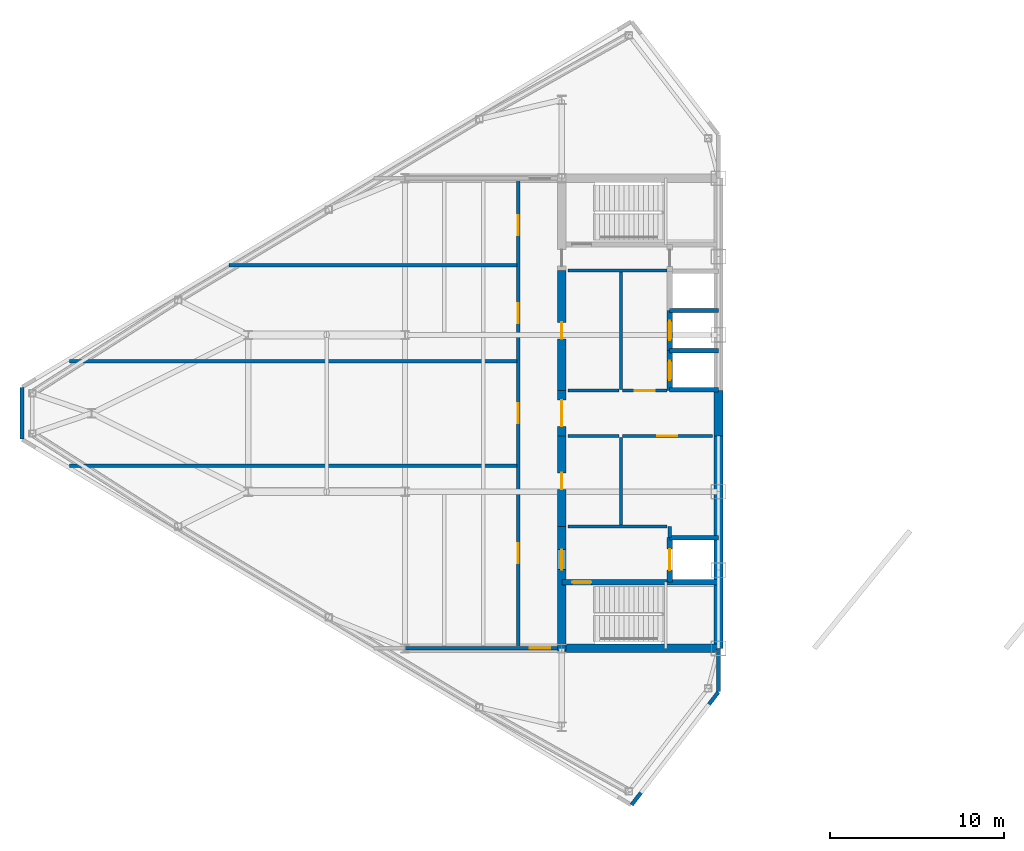
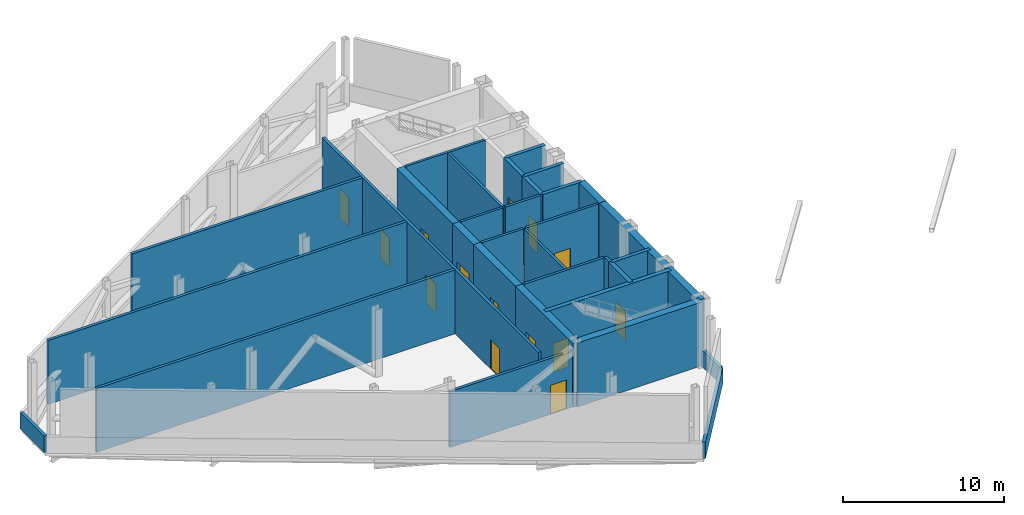
# One storey, part 8 of 13: 32 walls, 15 doors, 15 openings.
"""IFC4 building model written with IfcOpenShell, lengths in metres."""

from ifc_helpers import new_model, si_unit, direction, frame, frame_2d, origin, place, context, subcontext, project, spatial, rectangle, extrude, source, transform, mapped, material, layer, layer_set, type_object, type_shapes, element, fill, save


model = new_model("IFC4")

# Units and contexts
model_context = context("Model", 3, precision=1e-05, world=origin(), true_north=direction((0.0, 1.0)))
body_context = subcontext(model_context, "Body", "Model", "MODEL_VIEW")
ifc_project = project(units=[si_unit("LENGTHUNIT", "METRE"), si_unit("AREAUNIT", "SQUARE_METRE"), si_unit("VOLUMEUNIT", "CUBIC_METRE"), si_unit("PLANEANGLEUNIT", "RADIAN"), si_unit("MASSUNIT", "GRAM", prefix="KILO")], contexts=[model_context])

# Site, building, storey
site_placement = place(None, origin())
site = spatial("IfcSite", under=ifc_project, at=site_placement, CompositionType="ELEMENT")
building_placement = place(site_placement, origin())
building = spatial("IfcBuilding", under=site, at=building_placement, Name="Seokmaru Belvedere", CompositionType="ELEMENT")
storey_placement = place(building_placement, frame((0.0, 0.0, 224.699951171875)))
storey = spatial("IfcBuildingStorey", under=building, at=storey_placement, Name="L60", CompositionType="ELEMENT", Elevation=224.699951171875)

# Walls
ifc_material_1 = material(Name="Fire-Rated Gypsum Shaftwall")
ifc_layer_1 = layer(ifc_material_1, 0.179931640625)
ifc_layer_set_1 = layer_set([ifc_layer_1], Name="Fire-Rated Gypsum Shaftwall")
wall_type_1 = type_object("IfcWallType", Name="Core Service Fire Partition 180", PredefinedType="PARTITIONING", material=ifc_layer_set_1)
wall_1_placement = place(storey_placement, frame((-36.14990234375, -6.5, 0.0), z_axis=(0.0, 0.0, 1.0), x_axis=(1.0, 0.0, 0.0)))
element("IfcWall", 1, at=wall_1_placement, inside=storey, type_object=wall_type_1, Name="L60 West Firefighting Lobby Partition", PredefinedType="PARTITIONING", context=body_context, shape_type="SweptSolid", body=[
    extrude(rectangle(XDim=5.699951171875, YDim=0.179931640625, at=frame_2d((2.85009765625, 0.0))), origin(), (0.0, 0.0, 1.0), 4.840087890625),
])
wall_2_placement = place(storey_placement, frame((-30.300048828125, -7.1201171875, 0.0), z_axis=(0.0, 0.0, 1.0), x_axis=(0.0, 1.0, 0.0)))
element("IfcWall", 2, at=wall_2_placement, inside=storey, type_object=wall_type_1, Name="L60 West Firefighting Lobby East Closure Wall", PredefinedType="PARTITIONING", context=body_context, shape_type="SweptSolid", body=[
    extrude(rectangle(XDim=0.6201171875, YDim=0.179931640625, at=frame_2d((0.31005859375, 0.0))), origin(), (0.0, 0.0, 1.0), 4.840087890625),
])
wall_3_placement = place(storey_placement, frame((-36.14990234375, 8.199951171875, 0.0), z_axis=(0.0, 0.0, 1.0), x_axis=(1.0, 0.0, 0.0)))
element("IfcWall", 3, at=wall_3_placement, inside=storey, type_object=wall_type_1, Name="L60 West Smokeproof Vestibule Partition", PredefinedType="PARTITIONING", context=body_context, shape_type="SweptSolid", body=[
    extrude(rectangle(XDim=5.699951171875, YDim=0.179931640625, at=frame_2d((2.85009765625, 0.0))), origin(), (0.0, 0.0, 1.0), 4.840087890625),
])
wall_4_placement = place(storey_placement, frame((-33.10009765625, -6.419921875, 0.0), z_axis=(0.0, 0.0, 1.0), x_axis=(0.0, 1.0, 0.0)))
element("IfcWall", 4, at=wall_4_placement, inside=storey, type_object=wall_type_1, Name="L60 West South Core Service Back Wall", PredefinedType="PARTITIONING", context=body_context, shape_type="SweptSolid", body=[
    extrude(rectangle(XDim=5.0400390625, YDim=0.179931640625, at=frame_2d((2.52001953125, 0.0))), origin(), (0.0, 0.0, 1.0), 4.840087890625),
])
wall_5_placement = place(storey_placement, frame((-33.10009765625, 1.3798828125, 0.0), z_axis=(0.0, 0.0, 1.0), x_axis=(0.0, 1.0, 0.0)))
element("IfcWall", 5, at=wall_5_placement, inside=storey, type_object=wall_type_1, Name="L60 West North Core Service Back Wall", PredefinedType="PARTITIONING", context=body_context, shape_type="SweptSolid", body=[
    extrude(rectangle(XDim=6.740234375, YDim=0.179931640625, at=frame_2d((3.3701171875, 0.0))), origin(), (0.0, 0.0, 1.0), 4.840087890625),
])

# Wall, opening, door
wall_6_placement = place(storey_placement, frame((-33.02001953125, -1.300048828125, 0.0), z_axis=(0.0, 0.0, 1.0), x_axis=(1.0, 0.0, 0.0)))
wall_6 = element("IfcWall", 6, at=wall_6_placement, inside=storey, type_object=wall_type_1, Name="L60 West South Lift Lobby Foyer Wall", PredefinedType="PARTITIONING", context=body_context, shape_type="SweptSolid", body=[
    extrude(rectangle(XDim=5.169921875, YDim=0.179931640625, at=frame_2d((2.5849609375, 0.0))), origin(), (0.0, 0.0, 1.0), 4.840087890625),
])
opening_1_placement = place(wall_6_placement, frame((2.010009765625, 0.0, 0.0)))
opening_1 = element("IfcOpeningElement", 7, at=opening_1_placement, cuts=wall_6, Name="Opening D02", PredefinedType="OPENING", context=body_context, shape_type="SweptSolid", body=[
    extrude(rectangle(XDim=1.14990234375, YDim=2.199951171875, at=frame_2d((0.574951171875, 1.10009765625))), frame((0.0, 0.10009765625, 0.0), z_axis=(0.0, -1.0, 0.0), x_axis=(1.0, 0.0, 0.0)), (0.0, 0.0, 1.0), 0.199951171875),
])
ifc_material_2 = material(Name="Fire-Rated Steel Leaf", Category="steel")
door_type_1 = type_object("IfcDoorType", Name="Lobby and Vestibule Fire Door 1150x2200", OperationType="NOTDEFINED", PredefinedType="DOOR", material=ifc_material_2)
shared_shape_1 = source(origin(), body_context, "Body", "SweptSolid", [
    extrude(rectangle(XDim=1.14990234375, YDim=2.199951171875, at=frame_2d((0.574951171875, 1.10009765625))), frame((0.0, 0.02490234375, 0.0), z_axis=(0.0, -1.0, 0.0), x_axis=(1.0, 0.0, 0.0)), (0.0, 0.0, 1.0), 0.050048828125),
])
type_shapes(door_type_1, [shared_shape_1])
door_1_placement = place(opening_1_placement, origin())
door_1 = element("IfcDoor", 8, at=door_1_placement, inside=storey, type_object=door_type_1, Name="L60 West South Core Foyer Door", OperationType="SINGLE_SWING_LEFT", OverallHeight=2.199951171875, OverallWidth=1.14990234375, PredefinedType="DOOR", context=body_context, shape_type="MappedRepresentation", body=[
    mapped(shared_shape_1, transform((0.0, 0.0, 0.0), scale=1.0)),
])
fill(opening_1, door_1)

wall_7_placement = place(storey_placement, frame((-33.02001953125, 1.300048828125, 0.0), z_axis=(0.0, 0.0, 1.0), x_axis=(1.0, 0.0, 0.0)))
wall_7 = element("IfcWall", 9, at=wall_7_placement, inside=storey, type_object=wall_type_1, Name="L60 West North Lift Lobby Foyer Wall", PredefinedType="PARTITIONING", context=body_context, shape_type="SweptSolid", body=[
    extrude(rectangle(XDim=2.570068359375, YDim=0.179931640625, at=frame_2d((1.28515625, 0.0))), origin(), (0.0, 0.0, 1.0), 4.840087890625),
])
opening_2_placement = place(wall_7_placement, frame((0.7099609375, 0.0, 0.0)))
opening_2 = element("IfcOpeningElement", 10, at=opening_2_placement, cuts=wall_7, Name="Opening D02", PredefinedType="OPENING", context=body_context, shape_type="SweptSolid", body=[
    extrude(rectangle(XDim=1.14990234375, YDim=2.199951171875, at=frame_2d((0.574951171875, 1.10009765625))), frame((0.0, 0.10009765625, 0.0), z_axis=(0.0, -1.0, 0.0), x_axis=(1.0, 0.0, 0.0)), (0.0, 0.0, 1.0), 0.199951171875),
])
door_2_placement = place(opening_2_placement, origin())
door_2 = element("IfcDoor", 11, at=door_2_placement, inside=storey, type_object=door_type_1, Name="L60 West North Lift Lobby Door", OperationType="SINGLE_SWING_RIGHT", OverallHeight=2.199951171875, OverallWidth=1.14990234375, PredefinedType="DOOR", context=body_context, shape_type="MappedRepresentation", body=[
    mapped(shared_shape_1, transform((0.0, 0.0, 0.0), scale=1.0)),
])
fill(opening_2, door_2)

# Walls
for number, where, z_axis, x_axis, name in (
    (12, (-36.14990234375, -1.300048828125, 0.0), (0.0, 0.0, 1.0), (1.0, 0.0, 0.0), "L60 West Foyer Side Wall S"),
    (13, (-36.14990234375, 1.300048828125, 0.0), (0.0, 0.0, 1.0), (1.0, 0.0, 0.0), "L60 West Foyer Side Wall N"),
):
    element("IfcWall", number, at=place(storey_placement, frame(where, z_axis=z_axis, x_axis=x_axis)), inside=storey, type_object=wall_type_1, Name=name, PredefinedType="PARTITIONING", context=body_context, shape_type="SweptSolid", body=[
        extrude(rectangle(XDim=2.949951171875, YDim=0.179931640625, at=frame_2d((1.47509765625, 0.0))), origin(), (0.0, 0.0, 1.0), 4.840087890625),
    ])
ifc_material_3 = material(Name="Concrete C50 (50 MPa)", Category="concrete")
ifc_layer_2 = layer(ifc_material_3, 0.25)
ifc_layer_set_2 = layer_set([ifc_layer_2], Name="Concrete C50 (50 MPa)")
wall_type_2 = type_object("IfcWallType", Name="Hoistway Transverse Concrete Divider Wall 250", PredefinedType="SHEAR", material=ifc_layer_set_2)
for number, where, z_axis, x_axis, name in (
    (14, (-30.300048828125, -7.14990234375, 0.0), (0.0, 0.0, 1.0), (1.0, 0.0, 0.0), "L60 West Hoistway Divider Core Wall 1"),
    (15, (-30.300048828125, 1.35009765625, 0.0), (0.0, 0.0, 1.0), (1.0, 0.0, 0.0), "L60 West Hoistway Divider Core Wall 2"),
    (16, (-30.300048828125, 3.60009765625, 0.0), (0.0, 0.0, 1.0), (1.0, 0.0, 0.0), "L60 West Hoistway Divider Core Wall 3"),
    (17, (-30.300048828125, 5.89990234375, 0.0), (0.0, 0.0, 1.0), (1.0, 0.0, 0.0), "L60 West Hoistway Divider Core Wall 4"),
):
    element("IfcWall", number, at=place(storey_placement, frame(where, z_axis=z_axis, x_axis=x_axis)), inside=storey, type_object=wall_type_2, Name=name, PredefinedType="SHEAR", context=body_context, shape_type="SweptSolid", body=[
        extrude(rectangle(XDim=2.800048828125, YDim=0.25, at=frame_2d((1.39990234375, 0.0))), origin(), (0.0, 0.0, 1.0), 4.840087890625),
    ])

# Wall, opening, door
ifc_layer_3 = layer(ifc_material_1, 0.199951171875)
ifc_layer_set_3 = layer_set([ifc_layer_3], Name="Fire-Rated Gypsum Shaftwall")
wall_type_3 = type_object("IfcWallType", Name="Inter-Tenancy Fire Compartment Partition 200", PredefinedType="PARTITIONING", material=ifc_layer_set_3)
wall_8_placement = place(storey_placement, frame((-45.52001953125, -13.5, 0.0), z_axis=(0.0, 0.0, 1.0), x_axis=(1.0, 0.0, 0.0)))
wall_8 = element("IfcWall", 18, at=wall_8_placement, inside=storey, type_object=wall_type_3, Name="L60 Interior Partition 001 Part 2", PredefinedType="PARTITIONING", context=body_context, shape_type="SweptSolid", body=[
    extrude(rectangle(XDim=8.76513671875, YDim=0.199951171875, at=frame_2d((4.382568359375, 0.0))), origin(), (0.0, 0.0, 1.0), 4.239990234375),
])
opening_3_placement = place(wall_8_placement, frame((7.195068359375, 0.0, 0.0)))
opening_3 = element("IfcOpeningElement", 19, at=opening_3_placement, cuts=wall_8, Name="Opening D02", PredefinedType="OPENING", context=body_context, shape_type="SweptSolid", body=[
    extrude(rectangle(XDim=1.14990234375, YDim=2.199951171875, at=frame_2d((0.574951171875, 1.10009765625))), frame((0.0, 0.10986328125, 0.0), z_axis=(0.0, -1.0, 0.0), x_axis=(1.0, 0.0, 0.0)), (0.0, 0.0, 1.0), 0.219970703125),
])
door_3_placement = place(opening_3_placement, origin())
door_3 = element("IfcDoor", 20, at=door_3_placement, inside=storey, type_object=door_type_1, Name="L60 Interior Door 001", OperationType="SINGLE_SWING_LEFT", OverallHeight=2.199951171875, OverallWidth=1.14990234375, PredefinedType="DOOR", context=body_context, shape_type="MappedRepresentation", body=[
    mapped(shared_shape_1, transform((0.0, 0.0, 0.0), scale=1.0)),
])
fill(opening_3, door_3)

# Walls
for number, where, z_axis, x_axis, name in (
    (21, (-64.776611328125, -3.0, 0.0), (0.0, 0.0, 1.0), (1.0, 0.0, 0.0), "L60 Interior Partition 003"),
    (22, (-64.776611328125, 3.0, 0.0), (0.0, 0.0, 1.0), (1.0, 0.0, 0.0), "L60 Interior Partition 005"),
):
    element("IfcWall", number, at=place(storey_placement, frame(where, z_axis=z_axis, x_axis=x_axis)), inside=storey, type_object=wall_type_3, Name=name, PredefinedType="PARTITIONING", context=body_context, shape_type="SweptSolid", body=[
        extrude(rectangle(XDim=25.691650390625, YDim=0.199951171875, at=frame_2d((12.845703125, 0.0))), origin(), (0.0, 0.0, 1.0), 4.840087890625),
    ])
wall_9_placement = place(storey_placement, frame((-55.60986328125, 8.5, 0.0), z_axis=(0.0, 0.0, 1.0), x_axis=(1.0, 0.0, 0.0)))
element("IfcWall", 23, at=wall_9_placement, inside=storey, type_object=wall_type_3, Name="L60 Interior Partition 007", PredefinedType="PARTITIONING", context=body_context, shape_type="SweptSolid", body=[
    extrude(rectangle(XDim=16.52490234375, YDim=0.199951171875, at=frame_2d((8.262451171875, 0.0))), origin(), (0.0, 0.0, 1.0), 4.840087890625),
])

# Wall, openings, doors
wall_10_placement = place(storey_placement, frame((-39.0, -13.4150390625, 0.0), z_axis=(0.0, 0.0, 1.0), x_axis=(0.0, 1.0, 0.0)))
wall_10 = element("IfcWall", 24, at=wall_10_placement, inside=storey, type_object=wall_type_3, Name="L60 Interior Partition 011", PredefinedType="PARTITIONING", context=body_context, shape_type="SweptSolid", body=[
    extrude(rectangle(XDim=26.830078125, YDim=0.199951171875, at=frame_2d((13.4150390625, 0.0))), origin(), (0.0, 0.0, 1.0), 4.840087890625),
])
opening_4_placement = place(wall_10_placement, frame((4.7900390625, 0.0, 0.0)))
opening_4 = element("IfcOpeningElement", 25, at=opening_4_placement, cuts=wall_10, Name="Opening D02", PredefinedType="OPENING", context=body_context, shape_type="SweptSolid", body=[
    extrude(rectangle(XDim=1.14990234375, YDim=2.199951171875, at=frame_2d((0.574951171875, 1.10009765625))), frame((0.0, 0.10986328125, 0.0), z_axis=(0.0, -1.0, 0.0), x_axis=(1.0, 0.0, 0.0)), (0.0, 0.0, 1.0), 0.219970703125),
])
opening_5_placement = place(wall_10_placement, frame((12.840087890625, 0.0, 0.0)))
opening_5 = element("IfcOpeningElement", 26, at=opening_5_placement, cuts=wall_10, Name="Opening D02", PredefinedType="OPENING", context=body_context, shape_type="SweptSolid", body=[
    extrude(rectangle(XDim=1.14990234375, YDim=2.199951171875, at=frame_2d((0.574951171875, 1.10009765625))), frame((0.0, 0.10986328125, 0.0), z_axis=(0.0, -1.0, 0.0), x_axis=(1.0, 0.0, 0.0)), (0.0, 0.0, 1.0), 0.219970703125),
])
opening_6_placement = place(wall_10_placement, frame((18.590087890625, 0.0, 0.0)))
opening_6 = element("IfcOpeningElement", 27, at=opening_6_placement, cuts=wall_10, Name="Opening D02", PredefinedType="OPENING", context=body_context, shape_type="SweptSolid", body=[
    extrude(rectangle(XDim=1.14990234375, YDim=2.199951171875, at=frame_2d((0.574951171875, 1.10009765625))), frame((0.0, 0.10986328125, 0.0), z_axis=(0.0, -1.0, 0.0), x_axis=(1.0, 0.0, 0.0)), (0.0, 0.0, 1.0), 0.219970703125),
])
opening_7_placement = place(wall_10_placement, frame((23.639892578125, 0.0, 0.0)))
opening_7 = element("IfcOpeningElement", 28, at=opening_7_placement, cuts=wall_10, Name="Opening D02", PredefinedType="OPENING", context=body_context, shape_type="SweptSolid", body=[
    extrude(rectangle(XDim=1.14990234375, YDim=2.199951171875, at=frame_2d((0.574951171875, 1.10009765625))), frame((0.0, 0.10986328125, 0.0), z_axis=(0.0, -1.0, 0.0), x_axis=(1.0, 0.0, 0.0)), (0.0, 0.0, 1.0), 0.219970703125),
])
door_4_placement = place(opening_4_placement, origin())
door_4 = element("IfcDoor", 29, at=door_4_placement, inside=storey, type_object=door_type_1, Name="L60 Interior Door 003", OperationType="SINGLE_SWING_LEFT", OverallHeight=2.199951171875, OverallWidth=1.14990234375, PredefinedType="DOOR", context=body_context, shape_type="MappedRepresentation", body=[
    mapped(shared_shape_1, transform((0.0, 0.0, 0.0), scale=1.0)),
])
fill(opening_4, door_4)
door_5_placement = place(opening_5_placement, origin())
door_5 = element("IfcDoor", 30, at=door_5_placement, inside=storey, type_object=door_type_1, Name="L60 Interior Door 004", OperationType="SINGLE_SWING_RIGHT", OverallHeight=2.199951171875, OverallWidth=1.14990234375, PredefinedType="DOOR", context=body_context, shape_type="MappedRepresentation", body=[
    mapped(shared_shape_1, transform((0.0, 0.0, 0.0), scale=1.0)),
])
fill(opening_5, door_5)
door_6_placement = place(opening_6_placement, origin())
door_6 = element("IfcDoor", 31, at=door_6_placement, inside=storey, type_object=door_type_1, Name="L60 Interior Door 005", OperationType="SINGLE_SWING_LEFT", OverallHeight=2.199951171875, OverallWidth=1.14990234375, PredefinedType="DOOR", context=body_context, shape_type="MappedRepresentation", body=[
    mapped(shared_shape_1, transform((0.0, 0.0, 0.0), scale=1.0)),
])
fill(opening_6, door_6)
door_7_placement = place(opening_7_placement, origin())
door_7 = element("IfcDoor", 32, at=door_7_placement, inside=storey, type_object=door_type_1, Name="L60 Interior Door 006", OperationType="SINGLE_SWING_RIGHT", OverallHeight=2.199951171875, OverallWidth=1.14990234375, PredefinedType="DOOR", context=body_context, shape_type="MappedRepresentation", body=[
    mapped(shared_shape_1, transform((0.0, 0.0, 0.0), scale=1.0)),
])
fill(opening_7, door_7)

# Wall, opening, door
ifc_layer_4 = layer(ifc_material_3, 0.300048828125)
ifc_layer_set_4 = layer_set([ifc_layer_4], Name="Concrete C50 (50 MPa)")
wall_type_4 = type_object("IfcWallType", Name="Internal Core Stair and Hoistway Wall 300", PredefinedType="SHEAR", material=ifc_layer_set_4)
wall_11_placement = place(storey_placement, frame((-36.5, -9.699951171875, 0.0), z_axis=(0.0, 0.0, 1.0), x_axis=(1.0, 0.0, 0.0)))
wall_11 = element("IfcWall", 33, at=wall_11_placement, inside=storey, type_object=wall_type_4, Name="L60 West Stair ST-1 Enclosure Wall", PredefinedType="SHEAR", context=body_context, shape_type="SweptSolid", body=[
    extrude(rectangle(XDim=9.0, YDim=0.300048828125, at=frame_2d((4.5, 0.0))), origin(), (0.0, 0.0, 1.0), 4.840087890625),
])
opening_8_placement = place(wall_11_placement, frame((0.60009765625, 0.0, 0.0)))
opening_8 = element("IfcOpeningElement", 34, at=opening_8_placement, cuts=wall_11, Name="Opening D01", PredefinedType="OPENING", context=body_context, shape_type="SweptSolid", body=[
    extrude(rectangle(XDim=1.10009765625, YDim=2.199951171875, at=frame_2d((0.550048828125, 1.10009765625))), frame((0.0, 0.16015625, 0.0), z_axis=(0.0, -1.0, 0.0), x_axis=(1.0, 0.0, 0.0)), (0.0, 0.0, 1.0), 0.320068359375),
])
door_type_2 = type_object("IfcDoorType", Name="Special Escape Stair Smokeproof Fire Door 1100x2200", OperationType="NOTDEFINED", PredefinedType="DOOR", material=ifc_material_2)
shared_shape_2 = source(origin(), body_context, "Body", "SweptSolid", [
    extrude(rectangle(XDim=1.10009765625, YDim=2.199951171875, at=frame_2d((0.550048828125, 1.10009765625))), frame((0.0, 0.02490234375, 0.0), z_axis=(0.0, -1.0, 0.0), x_axis=(1.0, 0.0, 0.0)), (0.0, 0.0, 1.0), 0.050048828125),
])
type_shapes(door_type_2, [shared_shape_2])
door_8_placement = place(opening_8_placement, frame((1.10009765625, 0.0, 0.0), z_axis=(0.0, 0.0, 1.0), x_axis=(-1.0, 0.0, 0.0)))
door_8 = element("IfcDoor", 35, at=door_8_placement, inside=storey, type_object=door_type_2, Name="L60 West Special Escape Stair ST-1 Door", OperationType="SINGLE_SWING_LEFT", OverallHeight=2.199951171875, OverallWidth=1.10009765625, PredefinedType="DOOR", context=body_context, shape_type="MappedRepresentation", body=[
    mapped(shared_shape_2, transform((0.0, 0.0, 0.0), scale=1.0)),
])
fill(opening_8, door_8)

wall_12_placement = place(storey_placement, frame((-30.300048828125, -9.679931640625, 0.0), z_axis=(0.0, 0.0, 1.0), x_axis=(0.0, 1.0, 0.0)))
wall_12 = element("IfcWall", 36, at=wall_12_placement, inside=storey, type_object=wall_type_4, Name="L60 West Firefighting Lift Shaft Front Wall", PredefinedType="SHEAR", context=body_context, shape_type="SweptSolid", body=[
    extrude(rectangle(XDim=2.559814453125, YDim=0.300048828125, at=frame_2d((1.27978515625, 0.0))), origin(), (0.0, 0.0, 1.0), 4.840087890625),
])
opening_9_placement = place(wall_12_placement, frame((0.679931640625, 0.0, 0.0)))
opening_9 = element("IfcOpeningElement", 37, at=opening_9_placement, cuts=wall_12, Name="Opening LD2", PredefinedType="OPENING", context=body_context, shape_type="SweptSolid", body=[
    extrude(rectangle(XDim=1.199951171875, YDim=2.25, at=frame_2d((0.60009765625, 1.125))), frame((0.0, 0.16015625, 0.0), z_axis=(0.0, -1.0, 0.0), x_axis=(1.0, 0.0, 0.0)), (0.0, 0.0, 1.0), 0.320068359375),
])
ifc_material_4 = material(Name="Stainless Steel 316", Category="steel")
door_type_3 = type_object("IfcDoorType", Name="Firefighting Lift Sliding Landing Door 1200x2250", OperationType="DOUBLE_DOOR_SLIDING", PredefinedType="DOOR", material=ifc_material_4)
shared_shape_3 = source(origin(), body_context, "Body", "SweptSolid", [
    extrude(rectangle(XDim=1.199951171875, YDim=2.25, at=frame_2d((0.60009765625, 1.125))), frame((0.0, 0.02490234375, 0.0), z_axis=(0.0, -1.0, 0.0), x_axis=(1.0, 0.0, 0.0)), (0.0, 0.0, 1.0), 0.050048828125),
])
type_shapes(door_type_3, [shared_shape_3])
door_9_placement = place(opening_9_placement, origin())
door_9 = element("IfcDoor", 38, at=door_9_placement, inside=storey, type_object=door_type_3, Name="L60 West Firefighting Lift Landing Door", OperationType="DOUBLE_DOOR_SLIDING", OverallHeight=2.25, OverallWidth=1.199951171875, PredefinedType="DOOR", context=body_context, shape_type="MappedRepresentation", body=[
    mapped(shared_shape_3, transform((0.0, 0.0, 0.0), scale=1.0)),
])
fill(opening_9, door_9)

wall_13_placement = place(storey_placement, frame((-30.300048828125, 1.320068359375, 0.0), z_axis=(0.0, 0.0, 1.0), x_axis=(0.0, 1.0, 0.0)))
wall_13 = element("IfcWall", 39, at=wall_13_placement, inside=storey, type_object=wall_type_4, Name="L60 West North Hoistway Wall PH1", PredefinedType="SHEAR", context=body_context, shape_type="SweptSolid", body=[
    extrude(rectangle(XDim=2.280029296875, YDim=0.300048828125, at=frame_2d((1.14013671875, 0.0))), origin(), (0.0, 0.0, 1.0), 4.840087890625),
])
opening_10_placement = place(wall_13_placement, frame((0.590087890625, 0.0, 0.0)))
opening_10 = element("IfcOpeningElement", 40, at=opening_10_placement, cuts=wall_13, Name="Opening LD1", PredefinedType="OPENING", context=body_context, shape_type="SweptSolid", body=[
    extrude(rectangle(XDim=1.10009765625, YDim=2.199951171875, at=frame_2d((0.550048828125, 1.10009765625))), frame((0.0, 0.16015625, 0.0), z_axis=(0.0, -1.0, 0.0), x_axis=(1.0, 0.0, 0.0)), (0.0, 0.0, 1.0), 0.320068359375),
])
door_type_4 = type_object("IfcDoorType", Name="Passenger Lift Sliding Landing Door 1100x2200", OperationType="DOUBLE_DOOR_SLIDING", PredefinedType="DOOR", material=ifc_material_4)
shared_shape_4 = source(origin(), body_context, "Body", "SweptSolid", [
    extrude(rectangle(XDim=1.10009765625, YDim=2.199951171875, at=frame_2d((0.550048828125, 1.10009765625))), frame((0.0, 0.02490234375, 0.0), z_axis=(0.0, -1.0, 0.0), x_axis=(1.0, 0.0, 0.0)), (0.0, 0.0, 1.0), 0.050048828125),
])
type_shapes(door_type_4, [shared_shape_4])
door_10_placement = place(opening_10_placement, origin())
door_10 = element("IfcDoor", 41, at=door_10_placement, inside=storey, type_object=door_type_4, Name="L60 West High-Rise Lift PH-1 Landing Door", OperationType="DOUBLE_DOOR_SLIDING", OverallHeight=2.199951171875, OverallWidth=1.10009765625, PredefinedType="DOOR", context=body_context, shape_type="MappedRepresentation", body=[
    mapped(shared_shape_4, transform((0.0, 0.0, 0.0), scale=1.0)),
])
fill(opening_10, door_10)

wall_14_placement = place(storey_placement, frame((-30.300048828125, 3.60009765625, 0.0), z_axis=(0.0, 0.0, 1.0), x_axis=(0.0, 1.0, 0.0)))
wall_14 = element("IfcWall", 42, at=wall_14_placement, inside=storey, type_object=wall_type_4, Name="L60 West North Hoistway Wall PH2", PredefinedType="SHEAR", context=body_context, shape_type="SweptSolid", body=[
    extrude(rectangle(XDim=2.2998046875, YDim=0.300048828125, at=frame_2d((1.14990234375, 0.0))), origin(), (0.0, 0.0, 1.0), 4.840087890625),
])
opening_11_placement = place(wall_14_placement, frame((0.60009765625, 0.0, 0.0)))
opening_11 = element("IfcOpeningElement", 43, at=opening_11_placement, cuts=wall_14, Name="Opening LD1", PredefinedType="OPENING", context=body_context, shape_type="SweptSolid", body=[
    extrude(rectangle(XDim=1.10009765625, YDim=2.199951171875, at=frame_2d((0.550048828125, 1.10009765625))), frame((0.0, 0.16015625, 0.0), z_axis=(0.0, -1.0, 0.0), x_axis=(1.0, 0.0, 0.0)), (0.0, 0.0, 1.0), 0.320068359375),
])
door_11_placement = place(opening_11_placement, origin())
door_11 = element("IfcDoor", 44, at=door_11_placement, inside=storey, type_object=door_type_4, Name="L60 West High-Rise Lift PH-2 Landing Door", OperationType="DOUBLE_DOOR_SLIDING", OverallHeight=2.199951171875, OverallWidth=1.10009765625, PredefinedType="DOOR", context=body_context, shape_type="MappedRepresentation", body=[
    mapped(shared_shape_4, transform((0.0, 0.0, 0.0), scale=1.0)),
])
fill(opening_11, door_11)

# Walls
ifc_material_5 = material(Name="Concrete C40 (40 MPa)", Category="concrete")
ifc_layer_5 = layer(ifc_material_5, 0.219970703125)
ifc_layer_set_5 = layer_set([ifc_layer_5], Name="Concrete C40 (40 MPa)")
wall_type_5 = type_object("IfcWallType", Name="Refuge and Roof Concrete Parapet 220", PredefinedType="PARAPET", material=ifc_layer_set_5)
wall_15_placement = place(storey_placement, frame((-27.5, -15.97998046875, 0.0), z_axis=(0.0, 0.0, 1.0), x_axis=(0.0, 1.0, 0.0)))
element("IfcWall", 45, at=wall_15_placement, inside=storey, type_object=wall_type_5, Name="L60 W Refuge Spine Shoulder Parapet 1", PredefinedType="PARAPET", context=body_context, shape_type="SweptSolid", body=[
    extrude(rectangle(XDim=2.4599609375, YDim=0.219970703125, at=frame_2d((1.22998046875, 0.0))), origin(), (0.0, 0.0, 1.0), 1.25),
])
wall_16_placement = place(storey_placement, frame((-67.5, 1.47998046875, 0.0), z_axis=(0.0, 0.0, 1.0), x_axis=(0.0, -1.0, 0.0)))
element("IfcWall", 46, at=wall_16_placement, inside=storey, type_object=wall_type_5, Name="L60 W Refuge Perimeter Parapet 4", PredefinedType="PARAPET", context=body_context, shape_type="SweptSolid", body=[
    extrude(rectangle(XDim=2.9599609375, YDim=0.219970703125, at=frame_2d((1.47998046875, 0.0))), origin(), (0.0, 0.0, 1.0), 1.25),
])
wall_17_placement = place(storey_placement, frame((-32.48779296875, -22.484130859375, 0.0), z_axis=(0.0, 0.0, 1.0), x_axis=(0.60971076085, 0.792623989105, 0.0)))
element("IfcWall", 47, at=wall_17_placement, inside=storey, type_object=wall_type_5, Name="L60 W Refuge Perimeter Parapet 6", PredefinedType="PARAPET", context=body_context, shape_type="SweptSolid", body=[
    extrude(rectangle(XDim=8.16064453125, YDim=0.219970703125, at=frame_2d((4.080322265625, 0.0))), origin(), (0.0, 0.0, 1.0), 1.25),
])
ifc_layer_6 = layer(ifc_material_3, 0.5)
ifc_layer_set_6 = layer_set([ifc_layer_6], Name="Concrete C50 (50 MPa)")
wall_type_6 = type_object("IfcWallType", Name="Upper Tower Reinforced Concrete Core Wall 500", PredefinedType="SHEAR", material=ifc_layer_set_6)
wall_18_placement = place(storey_placement, frame((-27.5, -13.5, 0.0), z_axis=(0.0, 0.0, 1.0), x_axis=(0.0, 1.0, 0.0)))
element("IfcWall", 48, at=wall_18_placement, inside=storey, type_object=wall_type_6, Name="L60 West Portal Spine Core Wall South", PredefinedType="SHEAR", context=body_context, shape_type="SweptSolid", body=[
    extrude(rectangle(XDim=12.199951171875, YDim=0.5, at=frame_2d((6.10009765625, 0.0))), origin(), (0.0, 0.0, 1.0), 4.840087890625),
])
wall_19_placement = place(storey_placement, frame((-27.5, -1.300048828125, 0.0), z_axis=(0.0, 0.0, 1.0), x_axis=(0.0, 1.0, 0.0)))
element("IfcWall", 49, at=wall_19_placement, inside=storey, type_object=wall_type_6, Name="L60 West Portal Spine Core Wall Center", PredefinedType="SHEAR", context=body_context, shape_type="SweptSolid", body=[
    extrude(rectangle(XDim=2.60009765625, YDim=0.5, at=frame_2d((1.300048828125, 0.0))), origin(), (0.0, 0.0, 1.0), 4.840087890625),
])
wall_20_placement = place(storey_placement, frame((-36.5, -13.5, 0.0), z_axis=(0.0, 0.0, 1.0), x_axis=(1.0, 0.0, 0.0)))
element("IfcWall", 50, at=wall_20_placement, inside=storey, type_object=wall_type_6, Name="L60 West South Core Wall", PredefinedType="SHEAR", context=body_context, shape_type="SweptSolid", body=[
    extrude(rectangle(XDim=9.0, YDim=0.5, at=frame_2d((4.5, 0.0))), origin(), (0.0, 0.0, 1.0), 4.840087890625),
])

# Wall, opening, door
wall_21_placement = place(storey_placement, frame((-36.5, -13.64990234375, 0.0), z_axis=(0.0, 0.0, 1.0), x_axis=(0.0, 1.0, 0.0)))
wall_21 = element("IfcWall", 51, at=wall_21_placement, inside=storey, type_object=wall_type_6, Name="L60 West West Core Wall FF", PredefinedType="SHEAR", context=body_context, shape_type="SweptSolid", body=[
    extrude(rectangle(XDim=7.14990234375, YDim=0.5, at=frame_2d((3.574951171875, 0.0))), origin(), (0.0, 0.0, 1.0), 4.840087890625),
])
opening_12_placement = place(wall_21_placement, frame((4.675048828125, 0.0, 0.0)))
opening_12 = element("IfcOpeningElement", 52, at=opening_12_placement, cuts=wall_21, Name="Opening D02", PredefinedType="OPENING", context=body_context, shape_type="SweptSolid", body=[
    extrude(rectangle(XDim=1.14990234375, YDim=2.199951171875, at=frame_2d((0.574951171875, 1.10009765625))), frame((0.0, 0.260009765625, 0.0), z_axis=(0.0, -1.0, 0.0), x_axis=(1.0, 0.0, 0.0)), (0.0, 0.0, 1.0), 0.52001953125),
])
door_12_placement = place(opening_12_placement, frame((1.14990234375, 0.0, 0.0), z_axis=(0.0, 0.0, 1.0), x_axis=(-1.0, 0.0, 0.0)))
door_12 = element("IfcDoor", 53, at=door_12_placement, inside=storey, type_object=door_type_1, Name="L60 West Firefighting Lobby Door", OperationType="SINGLE_SWING_LEFT", OverallHeight=2.199951171875, OverallWidth=1.14990234375, PredefinedType="DOOR", context=body_context, shape_type="MappedRepresentation", body=[
    mapped(shared_shape_1, transform((0.0, 0.0, 0.0), scale=1.0)),
])
fill(opening_12, door_12)

wall_22_placement = place(storey_placement, frame((-36.5, -1.300048828125, 0.0), z_axis=(0.0, 0.0, 1.0), x_axis=(0.0, 1.0, 0.0)))
wall_22 = element("IfcWall", 54, at=wall_22_placement, inside=storey, type_object=wall_type_6, Name="L60 West West Core Wall FOY", PredefinedType="SHEAR", context=body_context, shape_type="SweptSolid", body=[
    extrude(rectangle(XDim=2.60009765625, YDim=0.5, at=frame_2d((1.300048828125, 0.0))), origin(), (0.0, 0.0, 1.0), 4.840087890625),
])
opening_13_placement = place(wall_22_placement, frame((0.550048828125, 0.0, 0.0)))
opening_13 = element("IfcOpeningElement", 55, at=opening_13_placement, cuts=wall_22, Name="Opening D08", PredefinedType="OPENING", context=body_context, shape_type="SweptSolid", body=[
    extrude(rectangle(XDim=1.5, YDim=2.300048828125, at=frame_2d((0.75, 1.14990234375))), frame((0.0, 0.260009765625, 0.0), z_axis=(0.0, -1.0, 0.0), x_axis=(1.0, 0.0, 0.0)), (0.0, 0.0, 1.0), 0.52001953125),
])
door_type_5 = type_object("IfcDoorType", Name="Cross-Corridor Compartment Double Fire Door 1500x2300", OperationType="DOUBLE_SWING_LEFT", PredefinedType="DOOR", material=ifc_material_2)
shared_shape_5 = source(origin(), body_context, "Body", "SweptSolid", [
    extrude(rectangle(XDim=1.5, YDim=2.300048828125, at=frame_2d((0.75, 1.14990234375))), frame((0.0, 0.02490234375, 0.0), z_axis=(0.0, -1.0, 0.0), x_axis=(1.0, 0.0, 0.0)), (0.0, 0.0, 1.0), 0.050048828125),
])
type_shapes(door_type_5, [shared_shape_5])
door_13_placement = place(opening_13_placement, origin())
door_13 = element("IfcDoor", 56, at=door_13_placement, inside=storey, type_object=door_type_5, Name="L60 West Core Foyer Compartment Door", OperationType="DOUBLE_SWING_LEFT", OverallHeight=2.300048828125, OverallWidth=1.5, PredefinedType="DOOR", context=body_context, shape_type="MappedRepresentation", body=[
    mapped(shared_shape_5, transform((0.0, 0.0, 0.0), scale=1.0)),
])
fill(opening_13, door_13)

wall_23_placement = place(storey_placement, frame((-36.5, -6.5, 0.0), z_axis=(0.0, 0.0, 1.0), x_axis=(0.0, 1.0, 0.0)))
wall_23 = element("IfcWall", 57, at=wall_23_placement, inside=storey, type_object=wall_type_6, Name="L60 West West Core Wall CS1", PredefinedType="SHEAR", context=body_context, shape_type="SweptSolid", body=[
    extrude(rectangle(XDim=5.199951171875, YDim=0.5, at=frame_2d((2.60009765625, 0.0))), origin(), (0.0, 0.0, 1.0), 4.840087890625),
])
opening_14_placement = place(wall_23_placement, frame((2.125, 0.0, 0.0)))
opening_14 = element("IfcOpeningElement", 58, at=opening_14_placement, cuts=wall_23, Name="Opening D04", PredefinedType="OPENING", context=body_context, shape_type="SweptSolid", body=[
    extrude(rectangle(XDim=0.949951171875, YDim=2.14990234375, at=frame_2d((0.47509765625, 1.074951171875))), frame((0.0, 0.260009765625, 0.0), z_axis=(0.0, -1.0, 0.0), x_axis=(1.0, 0.0, 0.0)), (0.0, 0.0, 1.0), 0.52001953125),
])
door_type_6 = type_object("IfcDoorType", Name="Core Service Room Fire Door 950x2150", OperationType="NOTDEFINED", PredefinedType="DOOR", material=ifc_material_2)
shared_shape_6 = source(origin(), body_context, "Body", "SweptSolid", [
    extrude(rectangle(XDim=0.949951171875, YDim=2.14990234375, at=frame_2d((0.47509765625, 1.074951171875))), frame((0.0, 0.02490234375, 0.0), z_axis=(0.0, -1.0, 0.0), x_axis=(1.0, 0.0, 0.0)), (0.0, 0.0, 1.0), 0.050048828125),
])
type_shapes(door_type_6, [shared_shape_6])
door_14_placement = place(opening_14_placement, origin())
door_14 = element("IfcDoor", 59, at=door_14_placement, inside=storey, type_object=door_type_6, Name="L60 West Core Service Room Door 1", OperationType="SINGLE_SWING_LEFT", OverallHeight=2.14990234375, OverallWidth=0.949951171875, PredefinedType="DOOR", context=body_context, shape_type="MappedRepresentation", body=[
    mapped(shared_shape_6, transform((0.0, 0.0, 0.0), scale=1.0)),
])
fill(opening_14, door_14)

wall_24_placement = place(storey_placement, frame((-36.5, 1.300048828125, 0.0), z_axis=(0.0, 0.0, 1.0), x_axis=(0.0, 1.0, 0.0)))
wall_24 = element("IfcWall", 60, at=wall_24_placement, inside=storey, type_object=wall_type_6, Name="L60 West West Core Wall CS2", PredefinedType="SHEAR", context=body_context, shape_type="SweptSolid", body=[
    extrude(rectangle(XDim=6.89990234375, YDim=0.5, at=frame_2d((3.449951171875, 0.0))), origin(), (0.0, 0.0, 1.0), 4.840087890625),
])
opening_15_placement = place(wall_24_placement, frame((2.97509765625, 0.0, 0.0)))
opening_15 = element("IfcOpeningElement", 61, at=opening_15_placement, cuts=wall_24, Name="Opening D04", PredefinedType="OPENING", context=body_context, shape_type="SweptSolid", body=[
    extrude(rectangle(XDim=0.949951171875, YDim=2.14990234375, at=frame_2d((0.47509765625, 1.074951171875))), frame((0.0, 0.260009765625, 0.0), z_axis=(0.0, -1.0, 0.0), x_axis=(1.0, 0.0, 0.0)), (0.0, 0.0, 1.0), 0.52001953125),
])
door_15_placement = place(opening_15_placement, origin())
door_15 = element("IfcDoor", 62, at=door_15_placement, inside=storey, type_object=door_type_6, Name="L60 West Core Service Room Door 2", OperationType="SINGLE_SWING_RIGHT", OverallHeight=2.14990234375, OverallWidth=0.949951171875, PredefinedType="DOOR", context=body_context, shape_type="MappedRepresentation", body=[
    mapped(shared_shape_6, transform((0.0, 0.0, 0.0), scale=1.0)),
])
fill(opening_15, door_15)

save(model, "model.ifc")
